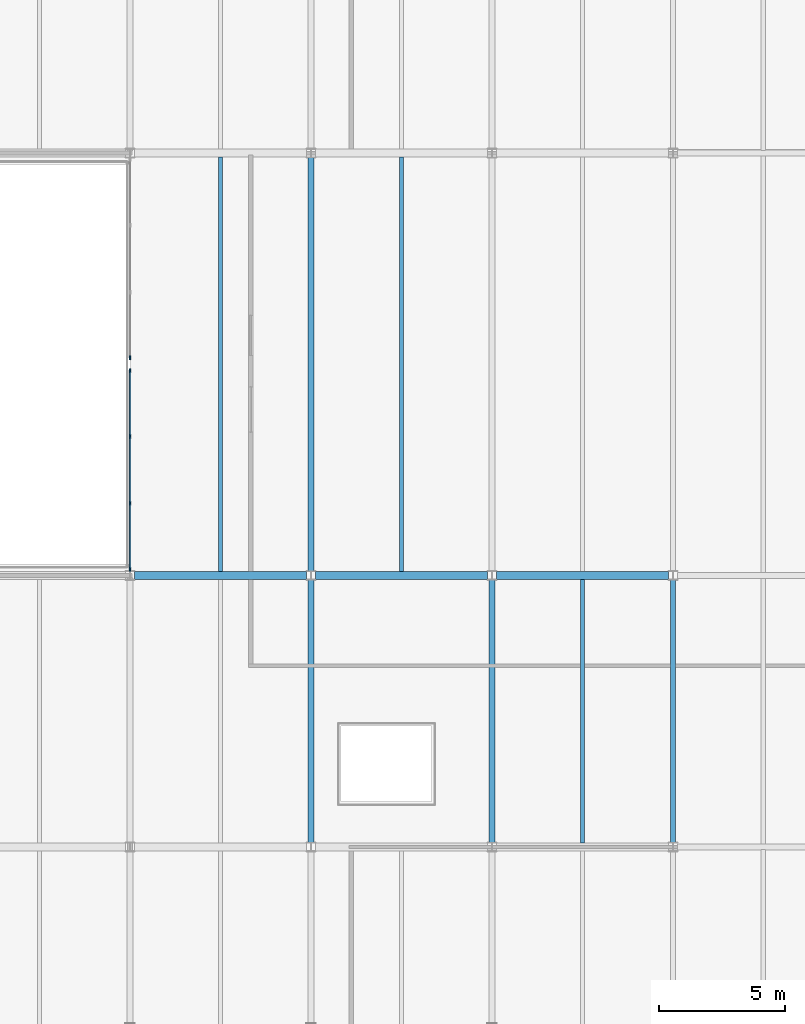
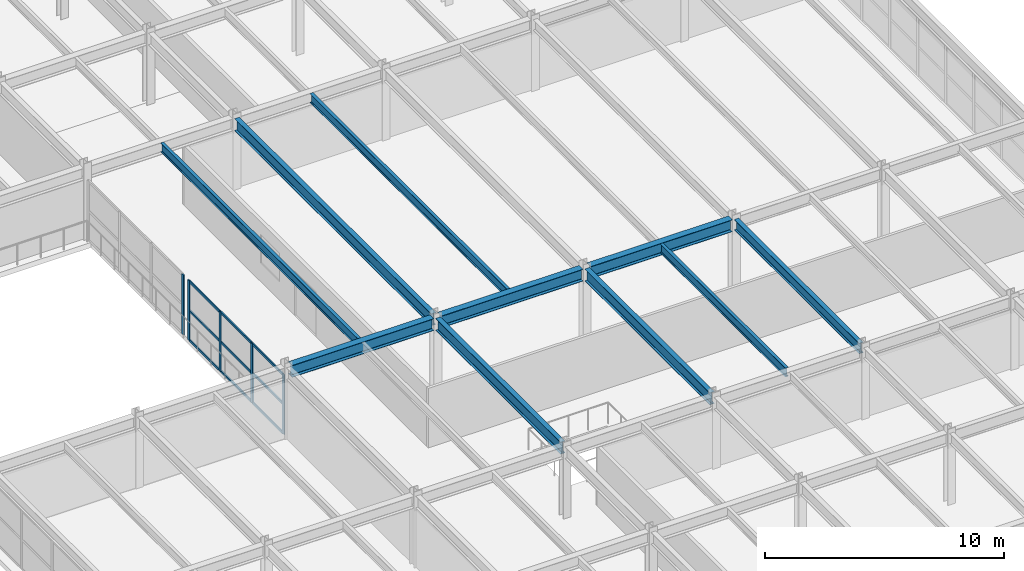
# One storey, part 36 of 93: 14 members, 10 beams, 2 elements without a shape of their own.
"""IFC4 building model written with IfcOpenShell, lengths in metres."""

import ifcopenshell
import ifcopenshell.guid

model = None  # the IFC model being written
_history = None  # IfcOwnerHistory: only IFC2X3 demands one
_inside = {}  # id of a spatial element -> (the spatial element, [elements in it])
_under = {}  # id of a project, library or spatial element -> (it, [spatial elements below it])
_declared = {}  # id of a project -> (the project, [libraries it declares])
_typed = {}  # id of a type object -> (the type object, [elements of that type])
_made_of = {}  # id of a material, layer set ... -> (it, [elements and type objects made of it])


def new_model(schema):
    """Start an empty IFC model of exactly this schema.

    Asked for "IFC4X3", IfcOpenShell would pick the latest addendum, in which some entities
    have other attributes; the version numbers below select the first issue.
    IFC2X3 requires an IfcOwnerHistory on every rooted entity: one is made here for all.
    """
    global model, _history
    if schema == "IFC4X3":
        model = ifcopenshell.file(schema_version=(4, 3, 0, 0))
    else:
        model = ifcopenshell.file(schema=schema)
    _inside.clear()
    _under.clear()
    _declared.clear()
    _typed.clear()
    _made_of.clear()
    _history = None
    if model.schema == "IFC2X3":
        org = make("IfcOrganization", Name="unknown")
        user = make(
            "IfcPersonAndOrganization",
            ThePerson=make("IfcPerson", FamilyName="unknown"),
            TheOrganization=org,
        )
        app = make(
            "IfcApplication",
            ApplicationDeveloper=org,
            Version="unknown",
            ApplicationFullName="unknown",
            ApplicationIdentifier="unknown",
        )
        _history = make(
            "IfcOwnerHistory",
            OwningUser=user,
            OwningApplication=app,
            ChangeAction="ADDED",
            CreationDate=0,
        )
    return model


def make(cls, **values):
    """One entity of the class cls with the attributes given. An attribute that is None is left unset."""
    return model.create_entity(
        cls, **{name: value for name, value in values.items() if value is not None}
    )


def rooted(cls, **values):
    """An entity with a GlobalId (a new one), such as an element, a storey or a relation."""
    return make(cls, GlobalId=ifcopenshell.guid.new(), OwnerHistory=_history, **values)


def si_unit(unit_type, name, prefix=None):
    """IfcSIUnit, for example si_unit("LENGTHUNIT", "METRE", prefix="MILLI")."""
    return make("IfcSIUnit", UnitType=unit_type, Prefix=prefix, Name=name)


def assignment(units):
    """IfcUnitAssignment: the units of a project."""
    return None if units is None else make("IfcUnitAssignment", Units=units)


def point(xyz):
    """IfcCartesianPoint."""
    return None if xyz is None else make("IfcCartesianPoint", Coordinates=xyz)


def direction(xyz):
    """IfcDirection."""
    return None if xyz is None else make("IfcDirection", DirectionRatios=xyz)


def frame(location, z_axis=None, x_axis=None):
    """IfcAxis2Placement3D, a coordinate frame: its origin and axes. An axis left out is left unset."""
    return make(
        "IfcAxis2Placement3D",
        Location=point(location),
        Axis=direction(z_axis),
        RefDirection=direction(x_axis),
    )


def frame_2d(location, x_axis=None):
    """IfcAxis2Placement2D, a coordinate frame in the plane: its origin and x axis."""
    return make(
        "IfcAxis2Placement2D", Location=point(location), RefDirection=direction(x_axis)
    )


def origin():
    """The frame at (0, 0, 0) with its axes left unset."""
    return frame((0.0, 0.0, 0.0))


def origin_2d():
    """The frame at (0, 0) in the plane with its x axis left unset."""
    return frame_2d((0.0, 0.0))


def place(relative_to, where):
    """IfcLocalPlacement: puts the frame where relative to a parent placement (None: the world)."""
    return make(
        "IfcLocalPlacement", PlacementRelTo=relative_to, RelativePlacement=where
    )


def context(
    kind, dimensions, precision=None, world=None, true_north=None, identifier=None
):
    """IfcGeometricRepresentationContext, for example the 3D "Model" context."""
    return make(
        "IfcGeometricRepresentationContext",
        ContextIdentifier=identifier,
        ContextType=kind,
        CoordinateSpaceDimension=dimensions,
        Precision=precision,
        WorldCoordinateSystem=world,
        TrueNorth=true_north,
    )


def subcontext(parent, identifier, kind, view, scale=None):
    """IfcGeometricRepresentationSubContext, for example "Body" below "Model"."""
    return make(
        "IfcGeometricRepresentationSubContext",
        ContextIdentifier=identifier,
        ContextType=kind,
        ParentContext=parent,
        TargetScale=scale,
        TargetView=view,
    )


def project(units=None, contexts=None):
    """IfcProject with its units and contexts."""
    return rooted(
        "IfcProject",
        Name="project",
        RepresentationContexts=contexts,
        UnitsInContext=assignment(units),
    )


def spatial(cls, under=None, at=None, **own):
    """A site, building, storey or space (cls), placed at a placement, below another one or the project."""
    s = rooted(cls, ObjectPlacement=at, **own)
    if under is not None:
        _under.setdefault(under.id(), (under, []))[1].append(s)
    return s


def profile(cls, at=None, kind="AREA", **sizes):
    """A parametric profile (cls). Its sizes go by their IFC names, for example OverallWidth=200.0."""
    return make(cls, ProfileType=kind, Position=at, **sizes)


def rectangle(**sizes):
    """IfcRectangleProfileDef."""
    return profile("IfcRectangleProfileDef", **sizes)


def i_section(**sizes):
    """IfcIShapeProfileDef."""
    return profile("IfcIShapeProfileDef", **sizes)


def extrude(swept, where, along, depth):
    """IfcExtrudedAreaSolid: the profile swept, set in the frame where, extruded along a direction by depth."""
    return make(
        "IfcExtrudedAreaSolid",
        SweptArea=swept,
        Position=where,
        ExtrudedDirection=direction(along),
        Depth=depth,
    )


def shape(context_of_items, identifier, shape_type, items):
    """IfcShapeRepresentation: the items that make up one representation, for example the "Body"."""
    return make(
        "IfcShapeRepresentation",
        ContextOfItems=context_of_items,
        RepresentationIdentifier=identifier,
        RepresentationType=shape_type,
        Items=items,
    )


def material(Name=None, Category=None):
    """IfcMaterial."""
    return make("IfcMaterial", Name=Name, Category=Category)


def material_profile(
    of_material, cross_section, Name=None, Category=None, Priority=None
):
    """IfcMaterialProfile: a cross section and its material."""
    return make(
        "IfcMaterialProfile",
        Name=Name,
        Material=of_material,
        Profile=cross_section,
        Priority=Priority,
        Category=Category,
    )


def profile_set(profiles, Name=None, composite=None):
    """IfcMaterialProfileSet."""
    return make(
        "IfcMaterialProfileSet",
        Name=Name,
        MaterialProfiles=profiles,
        CompositeProfile=composite,
    )


def made_of(thing, what):
    """Note that an element or type object is made of a material, layer set ...; save() writes the relation."""
    if what is not None:
        _made_of.setdefault(what.id(), (what, []))[1].append(thing)
    return thing


def type_object(cls, material=None, **own):
    """A type object (cls), such as IfcWallType, which elements share."""
    return made_of(rooted(cls, **own), material)


def element(
    cls,
    number,
    at=None,
    inside=None,
    cuts=None,
    type_object=None,
    material=None,
    context=None,
    identifier="Body",
    shape_type=None,
    held_by="IfcProductDefinitionShape",
    body=None,
    shapes=None,
    **own,
):
    """One element of the class cls, such as IfcWall. Its Tag is "e" and its number.

    at: its placement. inside: the storey or other place that contains it. cuts: it is an
    opening in that element (IfcRelVoidsElement). A single representation is given by context,
    identifier, shape_type and body (its items); several are given by shapes. held_by: the class
    of the entity that holds the representations. save() writes the other relations.
    """
    e = rooted(cls, Tag="e%d" % number, ObjectPlacement=at, **own)
    if body is not None:
        shapes = [shape(context, identifier, shape_type, body)]
    if shapes is not None:
        e.Representation = make(held_by, Representations=shapes)
    if inside is not None:
        _inside.setdefault(inside.id(), (inside, []))[1].append(e)
    if cuts is not None:
        rooted(
            "IfcRelVoidsElement", RelatingBuildingElement=cuts, RelatedOpeningElement=e
        )
    if type_object is not None:
        _typed.setdefault(type_object.id(), (type_object, []))[1].append(e)
    return made_of(e, material)


def aggregate(whole, parts):
    """IfcRelAggregates: a whole, such as a stair, and the parts it consists of."""
    return rooted("IfcRelAggregates", RelatingObject=whole, RelatedObjects=parts)


def save(model, path):
    """Write the relations noted so far, then the file.

    IfcRelAggregates (storeys below a building ...), IfcRelContainedInSpatialStructure (elements
    in a storey), IfcRelDefinesByType, IfcRelAssociatesMaterial and IfcRelDeclares: one each for
    every whole, place, type object, material and project.
    """
    for whole, parts in _under.values():
        aggregate(whole, parts)
    for where, things in _inside.values():
        rooted(
            "IfcRelContainedInSpatialStructure",
            RelatedElements=things,
            RelatingStructure=where,
        )
    for kind, things in _typed.values():
        rooted("IfcRelDefinesByType", RelatedObjects=things, RelatingType=kind)
    for what, things in _made_of.values():
        rooted("IfcRelAssociatesMaterial", RelatedObjects=things, RelatingMaterial=what)
    for by, libraries in _declared.values():
        rooted("IfcRelDeclares", RelatingContext=by, RelatedDefinitions=libraries)
    model.write(path)


model = new_model("IFC4")

# Units and contexts
model_context = context("Model", 3, precision=1e-05, world=origin(), true_north=direction((0.0, 1.0)))
body_context = subcontext(model_context, "Body", "Model", "MODEL_VIEW")
ifc_project = project(units=[si_unit("LENGTHUNIT", "METRE"), si_unit("AREAUNIT", "SQUARE_METRE"), si_unit("VOLUMEUNIT", "CUBIC_METRE"), si_unit("PLANEANGLEUNIT", "RADIAN"), si_unit("MASSUNIT", "GRAM", prefix="KILO")], contexts=[model_context])

# Site, building, storey
site_placement = place(None, origin())
site = spatial("IfcSite", under=ifc_project, at=site_placement, CompositionType="ELEMENT")
building_placement = place(site_placement, origin())
building = spatial("IfcBuilding", under=site, at=building_placement, Name="Vaelcorin Mobility Hub", CompositionType="ELEMENT")
storey_placement = place(building_placement, frame((0.0, 0.0, 5.39990234375)))
storey = spatial("IfcBuildingStorey", under=building, at=storey_placement, Name="L01", CompositionType="ELEMENT", Elevation=5.39990234375)

# Beams
ifc_material_1 = material(Name="Steel ASTM A992 Grade 50", Category="steel")
ifc_material_profile_1 = material_profile(ifc_material_1, i_section(OverallWidth=0.152099609375, OverallDepth=0.455078125, WebThickness=0.008056640625, FlangeThickness=0.01318359375, FilletRadius=0.012939453125, at=origin_2d()), Name="W18X40")
ifc_profile_set_1 = profile_set([ifc_material_profile_1], Name="Steel ASTM A992 Grade 50")
beam_type_1 = type_object("IfcBeamType", Name="BM-W18X40", PredefinedType="JOIST", material=ifc_profile_set_1)
for number, where, z_axis, x_axis, name in (
    (1, (171.60009765625, 60.159912109375, 3.443115234375), (0.0, 1.0, 0.0), (-1.0, 0.0, 0.0), "L01 Beam V5-L01-J-03-08-1"),
    (2, (178.800048828125, 60.159912109375, 3.443115234375), (0.0, 1.0, 0.0), (-1.0, 0.0, 0.0), "L01 Beam V5-L01-J-04-08-1"),
):
    element("IfcBeam", number, at=place(storey_placement, frame(where, z_axis=z_axis, x_axis=x_axis)), inside=storey, type_object=beam_type_1, Name=name, PredefinedType="JOIST", context=body_context, shape_type="SweptSolid", body=[
        extrude(i_section(OverallWidth=0.152099609375, OverallDepth=0.455078125, WebThickness=0.008056640625, FlangeThickness=0.01318359375, FilletRadius=0.012939453125, at=origin_2d()), origin(), (0.0, 0.0, 1.0), 16.47998046875),
    ])
beam_1_placement = place(storey_placement, frame((186.0, 49.360107421875, 3.443115234375), z_axis=(0.0, 1.0, 0.0), x_axis=(-1.0, 0.0, 0.0)))
element("IfcBeam", 3, at=beam_1_placement, inside=storey, type_object=beam_type_1, Name="L01 Beam V5-L01-J-05-07-1", PredefinedType="JOIST", context=body_context, shape_type="SweptSolid", body=[
    extrude(i_section(OverallWidth=0.152099609375, OverallDepth=0.455078125, WebThickness=0.008056640625, FlangeThickness=0.01318359375, FilletRadius=0.012939453125, at=origin_2d()), origin(), (0.0, 0.0, 1.0), 10.47998046875),
])
ifc_material_profile_2 = material_profile(ifc_material_1, i_section(OverallWidth=0.2099609375, OverallDepth=0.535888671875, WebThickness=0.010986328125, FlangeThickness=0.017333984375, FilletRadius=0.013916015625, at=origin_2d()), Name="W21X68")
ifc_profile_set_2 = profile_set([ifc_material_profile_2], Name="Steel ASTM A992 Grade 50")
beam_type_2 = type_object("IfcBeamType", Name="BM-W21X68", PredefinedType="SPANDREL", material=ifc_profile_set_2)
beam_2_placement = place(storey_placement, frame((189.60009765625, 49.384033203125, 3.402099609375), z_axis=(0.0, 1.0, 0.0), x_axis=(-1.0, 0.0, 0.0)))
element("IfcBeam", 4, at=beam_2_placement, inside=storey, type_object=beam_type_2, Name="L01 Beam V5-L01-GY-06-07", PredefinedType="SPANDREL", context=body_context, shape_type="SweptSolid", body=[
    extrude(i_section(OverallWidth=0.2099609375, OverallDepth=0.535888671875, WebThickness=0.010986328125, FlangeThickness=0.017333984375, FilletRadius=0.013916015625, at=origin_2d()), origin(), (0.0, 0.0, 1.0), 10.431884765625),
])
ifc_material_profile_3 = material_profile(ifc_material_1, i_section(OverallWidth=0.324951171875, OverallDepth=0.612060546875, WebThickness=0.0126953125, FlangeThickness=0.01904296875, FilletRadius=0.014892578125, at=origin_2d()), Name="W24X104")
ifc_profile_set_3 = profile_set([ifc_material_profile_3], Name="Steel ASTM A992 Grade 50")
beam_type_3 = type_object("IfcBeamType", Name="BM-W24X104", PredefinedType="BEAM", material=ifc_profile_set_3)
beam_3_placement = place(storey_placement, frame((168.18408203125, 60.0, 3.364013671875), z_axis=(1.0, 0.0, 0.0), x_axis=(0.0, 1.0, 0.0)))
element("IfcBeam", 5, at=beam_3_placement, inside=storey, type_object=beam_type_3, Name="L01 Beam V5-L01-GX-08-03", PredefinedType="BEAM", context=body_context, shape_type="SweptSolid", body=[
    extrude(i_section(OverallWidth=0.324951171875, OverallDepth=0.612060546875, WebThickness=0.0126953125, FlangeThickness=0.01904296875, FilletRadius=0.014892578125, at=origin_2d()), origin(), (0.0, 0.0, 1.0), 6.830810546875),
])
beam_4_placement = place(storey_placement, frame((175.384033203125, 60.0, 3.364013671875), z_axis=(1.0, 0.0, 0.0), x_axis=(0.0, 1.0, 0.0)))
element("IfcBeam", 6, at=beam_4_placement, inside=storey, type_object=beam_type_3, Name="L01 Beam V5-L01-GX-08-04", PredefinedType="BEAM", context=body_context, shape_type="SweptSolid", body=[
    extrude(i_section(OverallWidth=0.324951171875, OverallDepth=0.612060546875, WebThickness=0.0126953125, FlangeThickness=0.01904296875, FilletRadius=0.014892578125, at=origin_2d()), origin(), (0.0, 0.0, 1.0), 6.83203125),
])
beam_5_placement = place(storey_placement, frame((182.5849609375, 60.0, 3.364013671875), z_axis=(1.0, 0.0, 0.0), x_axis=(0.0, 1.0, 0.0)))
element("IfcBeam", 7, at=beam_5_placement, inside=storey, type_object=beam_type_3, Name="L01 Beam V5-L01-GX-08-05", PredefinedType="BEAM", context=body_context, shape_type="SweptSolid", body=[
    extrude(i_section(OverallWidth=0.324951171875, OverallDepth=0.612060546875, WebThickness=0.0126953125, FlangeThickness=0.01904296875, FilletRadius=0.014892578125, at=origin_2d()), origin(), (0.0, 0.0, 1.0), 6.830078125),
])
ifc_material_profile_4 = material_profile(ifc_material_1, i_section(OverallWidth=0.22900390625, OverallDepth=0.612060546875, WebThickness=0.011962890625, FlangeThickness=0.01953125, FilletRadius=0.014892578125, at=origin_2d()), Name="W24X84")
ifc_profile_set_4 = profile_set([ifc_material_profile_4], Name="Steel ASTM A992 Grade 50")
beam_type_4 = type_object("IfcBeamType", Name="BM-W24X84", PredefinedType="BEAM", material=ifc_profile_set_4)
beam_6_placement = place(storey_placement, frame((175.199951171875, 49.384033203125, 3.364013671875), z_axis=(0.0, 1.0, 0.0), x_axis=(-1.0, 0.0, 0.0)))
element("IfcBeam", 8, at=beam_6_placement, inside=storey, type_object=beam_type_4, Name="L01 Beam V5-L01-GY-04-07", PredefinedType="BEAM", context=body_context, shape_type="SweptSolid", body=[
    extrude(i_section(OverallWidth=0.22900390625, OverallDepth=0.612060546875, WebThickness=0.011962890625, FlangeThickness=0.01953125, FilletRadius=0.014892578125, at=origin_2d()), origin(), (0.0, 0.0, 1.0), 10.431884765625),
])
beam_7_placement = place(storey_placement, frame((175.199951171875, 60.18408203125, 3.364013671875), z_axis=(0.0, 1.0, 0.0), x_axis=(-1.0, 0.0, 0.0)))
element("IfcBeam", 9, at=beam_7_placement, inside=storey, type_object=beam_type_4, Name="L01 Beam V5-L01-GY-04-08", PredefinedType="BEAM", context=body_context, shape_type="SweptSolid", body=[
    extrude(i_section(OverallWidth=0.22900390625, OverallDepth=0.612060546875, WebThickness=0.011962890625, FlangeThickness=0.01953125, FilletRadius=0.014892578125, at=origin_2d()), origin(), (0.0, 0.0, 1.0), 16.431884765625),
])
beam_8_placement = place(storey_placement, frame((182.39990234375, 49.384033203125, 3.364013671875), z_axis=(0.0, 1.0, 0.0), x_axis=(-1.0, 0.0, 0.0)))
element("IfcBeam", 10, at=beam_8_placement, inside=storey, type_object=beam_type_4, Name="L01 Beam V5-L01-GY-05-07", PredefinedType="BEAM", context=body_context, shape_type="SweptSolid", body=[
    extrude(i_section(OverallWidth=0.22900390625, OverallDepth=0.612060546875, WebThickness=0.011962890625, FlangeThickness=0.01953125, FilletRadius=0.014892578125, at=origin_2d()), origin(), (0.0, 0.0, 1.0), 10.431884765625),
])

# Curtain wall, members
ifc_material_2 = material(Name="Anodised aluminium 6063-T6", Category="aluminium")
curtain_wall_type = type_object("IfcCurtainWallType", Name="CW-MOB-A", PredefinedType="NOTDEFINED", material=ifc_material_2)
curtain_wall_1_placement = place(storey_placement, origin())
curtain_wall_1 = element("IfcCurtainWall", 11, at=curtain_wall_1_placement, inside=storey, type_object=curtain_wall_type, Name="L01 Curtain Wall CW-V5-L01-NOTCH-1", PredefinedType="NOTDEFINED")
ifc_material_profile_5 = material_profile(ifc_material_2, rectangle(XDim=0.06005859375, YDim=0.159912109375, at=origin_2d()), Name="ALU-M60X160")
ifc_profile_set_5 = profile_set([ifc_material_profile_5], Name="Anodised aluminium 6063-T6")
member_type_1 = type_object("IfcMemberType", Name="CW-MULL-160", PredefinedType="MULLION", material=ifc_profile_set_5)
member_1_placement = place(storey_placement, frame((168.0, 60.25, 0.0), z_axis=(0.0, 0.0, 1.0), x_axis=(-1.0, 0.0, 0.0)))
member_1 = element("IfcMember", 12, at=member_1_placement, type_object=member_type_1, Name="CW7 mullion 1", PredefinedType="MULLION", context=body_context, shape_type="SweptSolid", body=[
    extrude(rectangle(XDim=0.06005859375, YDim=0.159912109375, at=origin_2d()), origin(), (0.0, 0.0, 1.0), 3.043212890625),
])
member_2_placement = place(storey_placement, frame((168.0, 62.873291015625, 0.0), z_axis=(0.0, 0.0, 1.0), x_axis=(-1.0, 0.0, 0.0)))
member_2 = element("IfcMember", 13, at=member_2_placement, type_object=member_type_1, Name="CW7 mullion 2", PredefinedType="MULLION", context=body_context, shape_type="SweptSolid", body=[
    extrude(rectangle(XDim=0.06005859375, YDim=0.159912109375, at=origin_2d()), origin(), (0.0, 0.0, 1.0), 3.043212890625),
])
member_3_placement = place(storey_placement, frame((168.0, 65.526611328125, 0.0), z_axis=(0.0, 0.0, 1.0), x_axis=(-1.0, 0.0, 0.0)))
member_3 = element("IfcMember", 14, at=member_3_placement, type_object=member_type_1, Name="CW7 mullion 3", PredefinedType="MULLION", context=body_context, shape_type="SweptSolid", body=[
    extrude(rectangle(XDim=0.06005859375, YDim=0.159912109375, at=origin_2d()), origin(), (0.0, 0.0, 1.0), 3.043212890625),
])
member_4_placement = place(storey_placement, frame((168.0, 68.14990234375, 0.0), z_axis=(0.0, 0.0, 1.0), x_axis=(-1.0, 0.0, 0.0)))
member_4 = element("IfcMember", 15, at=member_4_placement, type_object=member_type_1, Name="CW7 mullion 4", PredefinedType="MULLION", context=body_context, shape_type="SweptSolid", body=[
    extrude(rectangle(XDim=0.06005859375, YDim=0.159912109375, at=origin_2d()), origin(), (0.0, 0.0, 1.0), 3.043212890625),
])

# Curtain wall, member
curtain_wall_2_placement = place(storey_placement, origin())
curtain_wall_2 = element("IfcCurtainWall", 16, at=curtain_wall_2_placement, inside=storey, type_object=curtain_wall_type, Name="L01 Curtain Wall CW-V5-L01-NOTCH-2", PredefinedType="NOTDEFINED")
member_5_placement = place(storey_placement, frame((168.0, 68.64990234375, 0.0), z_axis=(0.0, 0.0, 1.0), x_axis=(-1.0, 0.0, 0.0)))
member_5 = element("IfcMember", 17, at=member_5_placement, type_object=member_type_1, Name="CW7 mullion 1", PredefinedType="MULLION", context=body_context, shape_type="SweptSolid", body=[
    extrude(rectangle(XDim=0.06005859375, YDim=0.159912109375, at=origin_2d()), origin(), (0.0, 0.0, 1.0), 3.043212890625),
])
aggregate(curtain_wall_2, [member_5])

# Member
ifc_material_profile_6 = material_profile(ifc_material_2, rectangle(XDim=0.06005859375, YDim=0.1201171875, at=origin_2d()), Name="ALU-T60X120")
ifc_profile_set_6 = profile_set([ifc_material_profile_6], Name="Anodised aluminium 6063-T6")
member_type_2 = type_object("IfcMemberType", Name="CW-TRAN-140", PredefinedType="USERDEFINED", material=ifc_profile_set_6)
member_6_placement = place(storey_placement, frame((168.0, 60.280029296875, 0.030029296875), z_axis=(0.0, 1.0, 0.0), x_axis=(-1.0, 0.0, 0.0)))
member_6 = element("IfcMember", 18, at=member_6_placement, type_object=member_type_2, Name="CW7 transom 1.1", ObjectType="TRANSOM", PredefinedType="USERDEFINED", context=body_context, shape_type="SweptSolid", body=[
    extrude(rectangle(XDim=0.06005859375, YDim=0.1201171875, at=origin_2d()), origin(), (0.0, 0.0, 1.0), 2.563232421875),
])

member_7_placement = place(storey_placement, frame((168.0, 60.280029296875, 1.522216796875), z_axis=(0.0, 1.0, 0.0), x_axis=(-1.0, 0.0, 0.0)))
member_7 = element("IfcMember", 19, at=member_7_placement, type_object=member_type_2, Name="CW7 transom 1.2", ObjectType="TRANSOM", PredefinedType="USERDEFINED", context=body_context, shape_type="SweptSolid", body=[
    extrude(rectangle(XDim=0.06005859375, YDim=0.1201171875, at=origin_2d()), origin(), (0.0, 0.0, 1.0), 2.563232421875),
])

member_8_placement = place(storey_placement, frame((168.0, 60.280029296875, 3.01318359375), z_axis=(0.0, 1.0, 0.0), x_axis=(-1.0, 0.0, 0.0)))
member_8 = element("IfcMember", 20, at=member_8_placement, type_object=member_type_2, Name="CW7 transom 1.3", ObjectType="TRANSOM", PredefinedType="USERDEFINED", context=body_context, shape_type="SweptSolid", body=[
    extrude(rectangle(XDim=0.06005859375, YDim=0.1201171875, at=origin_2d()), origin(), (0.0, 0.0, 1.0), 2.563232421875),
])

member_9_placement = place(storey_placement, frame((168.0, 62.9033203125, 0.030029296875), z_axis=(0.0, 1.0, 0.0), x_axis=(-1.0, 0.0, 0.0)))
member_9 = element("IfcMember", 21, at=member_9_placement, type_object=member_type_2, Name="CW7 transom 2.1", ObjectType="TRANSOM", PredefinedType="USERDEFINED", context=body_context, shape_type="SweptSolid", body=[
    extrude(rectangle(XDim=0.06005859375, YDim=0.1201171875, at=origin_2d()), origin(), (0.0, 0.0, 1.0), 2.59326171875),
])

member_10_placement = place(storey_placement, frame((168.0, 62.9033203125, 1.522216796875), z_axis=(0.0, 1.0, 0.0), x_axis=(-1.0, 0.0, 0.0)))
member_10 = element("IfcMember", 22, at=member_10_placement, type_object=member_type_2, Name="CW7 transom 2.2", ObjectType="TRANSOM", PredefinedType="USERDEFINED", context=body_context, shape_type="SweptSolid", body=[
    extrude(rectangle(XDim=0.06005859375, YDim=0.1201171875, at=origin_2d()), origin(), (0.0, 0.0, 1.0), 2.59326171875),
])

member_11_placement = place(storey_placement, frame((168.0, 62.9033203125, 3.01318359375), z_axis=(0.0, 1.0, 0.0), x_axis=(-1.0, 0.0, 0.0)))
member_11 = element("IfcMember", 23, at=member_11_placement, type_object=member_type_2, Name="CW7 transom 2.3", ObjectType="TRANSOM", PredefinedType="USERDEFINED", context=body_context, shape_type="SweptSolid", body=[
    extrude(rectangle(XDim=0.06005859375, YDim=0.1201171875, at=origin_2d()), origin(), (0.0, 0.0, 1.0), 2.59326171875),
])

member_12_placement = place(storey_placement, frame((168.0, 65.556640625, 0.030029296875), z_axis=(0.0, 1.0, 0.0), x_axis=(-1.0, 0.0, 0.0)))
member_12 = element("IfcMember", 24, at=member_12_placement, type_object=member_type_2, Name="CW7 transom 3.1", ObjectType="TRANSOM", PredefinedType="USERDEFINED", context=body_context, shape_type="SweptSolid", body=[
    extrude(rectangle(XDim=0.06005859375, YDim=0.1201171875, at=origin_2d()), origin(), (0.0, 0.0, 1.0), 2.5634765625),
])

member_13_placement = place(storey_placement, frame((168.0, 65.556640625, 1.522216796875), z_axis=(0.0, 1.0, 0.0), x_axis=(-1.0, 0.0, 0.0)))
member_13 = element("IfcMember", 25, at=member_13_placement, type_object=member_type_2, Name="CW7 transom 3.2", ObjectType="TRANSOM", PredefinedType="USERDEFINED", context=body_context, shape_type="SweptSolid", body=[
    extrude(rectangle(XDim=0.06005859375, YDim=0.1201171875, at=origin_2d()), origin(), (0.0, 0.0, 1.0), 2.5634765625),
])

member_14_placement = place(storey_placement, frame((168.0, 65.556640625, 3.01318359375), z_axis=(0.0, 1.0, 0.0), x_axis=(-1.0, 0.0, 0.0)))
member_14 = element("IfcMember", 26, at=member_14_placement, type_object=member_type_2, Name="CW7 transom 3.3", ObjectType="TRANSOM", PredefinedType="USERDEFINED", context=body_context, shape_type="SweptSolid", body=[
    extrude(rectangle(XDim=0.06005859375, YDim=0.1201171875, at=origin_2d()), origin(), (0.0, 0.0, 1.0), 2.5634765625),
])

aggregate(curtain_wall_1, [member_1, member_2, member_3, member_4, member_6, member_7, member_8, member_9, member_10, member_11, member_12, member_13, member_14])

save(model, "model.ifc")
